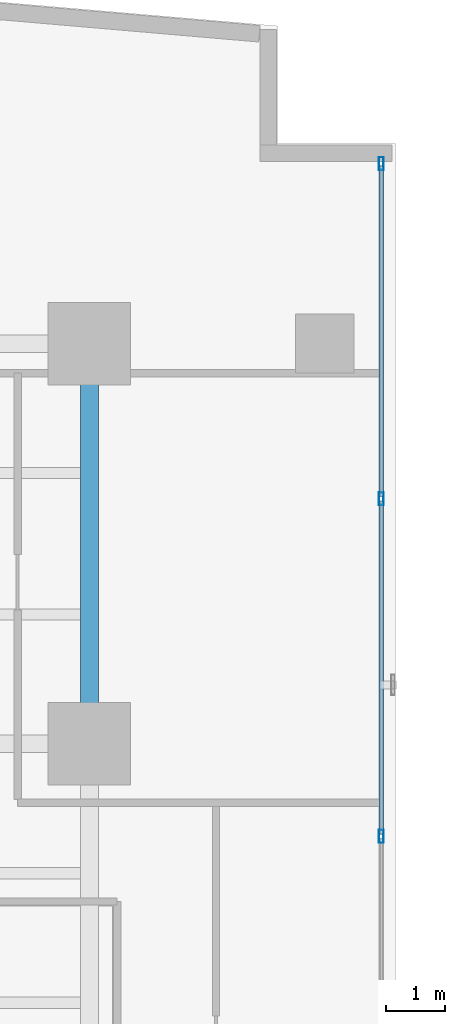
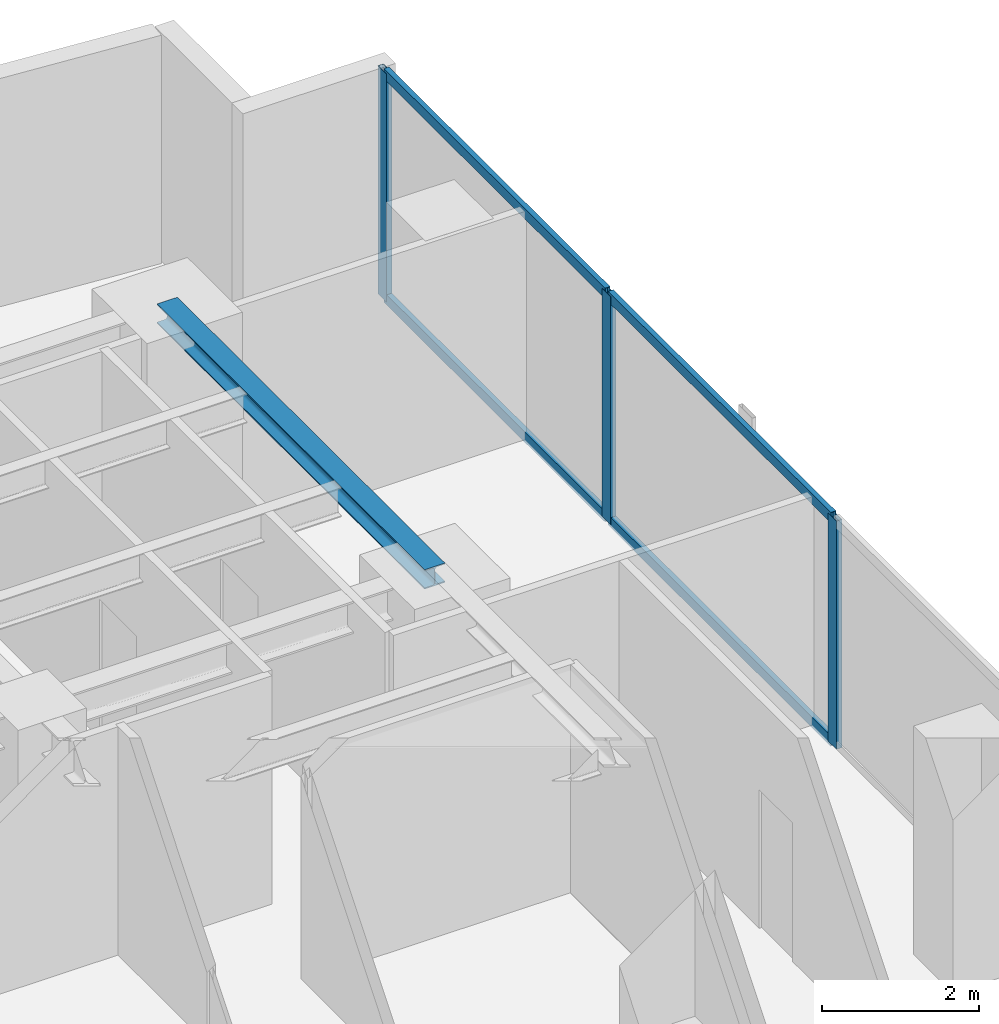
# One storey, part 17 of 26: 7 members, 1 beam, 1 element without a shape of its own.
"""IFC4 building model written with IfcOpenShell, lengths in metres."""

from ifc_helpers import new_model, si_unit, direction, frame, origin, origin_with_axes, origin_2d, place, context, subcontext, project, spatial, hollow_rectangle, i_section, extrude, source, transform, mapped, material, layer, layer_set, material_profile, profile_set, type_object, element, aggregate, save


model = new_model("IFC4")

# Units and contexts
model_context = context("Model", 3, precision=1e-05, world=origin(), true_north=direction((0.0, 1.0)))
body_context = subcontext(model_context, "Body", "Model", "MODEL_VIEW")
ifc_project = project(units=[si_unit("LENGTHUNIT", "METRE"), si_unit("AREAUNIT", "SQUARE_METRE"), si_unit("VOLUMEUNIT", "CUBIC_METRE"), si_unit("PLANEANGLEUNIT", "RADIAN"), si_unit("MASSUNIT", "GRAM", prefix="KILO")], contexts=[model_context])

# Site, building, storey
site_placement = place(None, origin())
site = spatial("IfcSite", under=ifc_project, at=site_placement, CompositionType="ELEMENT")
building_placement = place(site_placement, origin())
building = spatial("IfcBuilding", under=site, at=building_placement, Name="Kolvaren Waterfront Exchange", CompositionType="ELEMENT")
storey_placement = place(building_placement, frame((0.0, 0.0, 122.10009765625)))
storey = spatial("IfcBuildingStorey", under=building, at=storey_placement, Name="L31", CompositionType="ELEMENT", Elevation=122.10009765625)

# Beam
ifc_material_1 = material(Name="Steel S355", Category="steel")
ifc_material_profile_1 = material_profile(ifc_material_1, i_section(OverallWidth=0.300048828125, OverallDepth=0.300048828125, WebThickness=0.010986328125, FlangeThickness=0.01904296875, FilletRadius=0.027099609375, at=origin_2d()), Name="HEB300")
ifc_profile_set_1 = profile_set([ifc_material_profile_1], Name="Steel S355")
beam_type = type_object("IfcBeamType", Name="STR-BM-HEB300", PredefinedType="SPANDREL", material=ifc_profile_set_1)
beam_placement = place(storey_placement, frame((18.800048828125, 37.800048828125, 3.389892578125), z_axis=(0.0, 1.0, 0.0), x_axis=(-1.0, 0.0, 0.0)))
element("IfcBeam", 1, at=beam_placement, inside=storey, type_object=beam_type, Name="L31 north-arm edge beam 3", PredefinedType="SPANDREL", context=body_context, shape_type="SweptSolid", body=[
    extrude(i_section(OverallWidth=0.300048828125, OverallDepth=0.300048828125, WebThickness=0.010986328125, FlangeThickness=0.01904296875, FilletRadius=0.027099609375, at=origin_2d()), origin(), (0.0, 0.0, 1.0), 6.800048828125),
])

# Curtain wall, members
ifc_material_2 = material(Name="Anodised bronze aluminium 6063-T6", Category="aluminium")
ifc_layer = layer(ifc_material_2, 0.219970703125, Name="Anodised bronze aluminium 6063-T6")
ifc_layer_set = layer_set([ifc_layer], Name="Anodised bronze aluminium 6063-T6")
curtain_wall_type = type_object("IfcCurtainWallType", Name="ARC-CW-SYS1", PredefinedType="USERDEFINED", material=ifc_layer_set)
curtain_wall_placement = place(storey_placement, origin())
curtain_wall = element("IfcCurtainWall", 2, at=curtain_wall_placement, inside=storey, type_object=curtain_wall_type, Name="L31 stick curtain wall CW1 (CW-L31-NE)", ObjectType="STICK CURTAIN WALL", PredefinedType="USERDEFINED")
ifc_material_3 = material(Name="Anodised aluminium 6063-T6", Category="aluminium")
ifc_material_profile_2 = material_profile(ifc_material_3, hollow_rectangle(XDim=0.080078125, YDim=0.219970703125, WallThickness=0.0048828125, at=origin_2d()), Name="ALU-MUL-220x80x5")
ifc_profile_set_2 = profile_set([ifc_material_profile_2], Name="Anodised aluminium 6063-T6")
member_type_1 = type_object("IfcMemberType", Name="ARC-CWM-220", PredefinedType="MULLION", material=ifc_profile_set_2)
shared_shape_1 = source(origin_with_axes(), body_context, "Body", "SweptSolid", [
    extrude(hollow_rectangle(XDim=0.080078125, YDim=0.219970703125, WallThickness=0.0048828125, at=origin_2d()), origin(), (0.0, 0.0, 1.0), 3.539794921875),
])
member_1_placement = place(storey_placement, frame((23.760009765625, 36.2265625, 0.0), z_axis=(0.0, 0.0, 1.0), x_axis=(-1.0, 0.0, 0.0)))
member_1 = element("IfcMember", 3, at=member_1_placement, type_object=member_type_1, Name="CW1 mullion 2", PredefinedType="MULLION", context=body_context, shape_type="MappedRepresentation", body=[
    mapped(shared_shape_1, transform((0.0, 0.0, 0.0), x_axis=(1.0, 0.0, 0.0), y_axis=(0.0, 1.0, 0.0), z_axis=(0.0, 0.0, 1.0), scale=1.0)),
])
member_2_placement = place(storey_placement, frame((23.760009765625, 41.96337890625, 0.0), z_axis=(0.0, 0.0, 1.0), x_axis=(-1.0, 0.0, 0.0)))
member_2 = element("IfcMember", 4, at=member_2_placement, type_object=member_type_1, Name="CW1 mullion 3", PredefinedType="MULLION", context=body_context, shape_type="MappedRepresentation", body=[
    mapped(shared_shape_1, transform((0.0, 0.0, 0.0), x_axis=(1.0, 0.0, 0.0), y_axis=(0.0, 1.0, 0.0), z_axis=(0.0, 0.0, 1.0), scale=1.0)),
])
member_3_placement = place(storey_placement, frame((23.760009765625, 47.659912109375, 0.0), z_axis=(0.0, 0.0, 1.0), x_axis=(-1.0, 0.0, 0.0)))
member_3 = element("IfcMember", 5, at=member_3_placement, type_object=member_type_1, Name="CW1 mullion 4", PredefinedType="MULLION", context=body_context, shape_type="MappedRepresentation", body=[
    mapped(shared_shape_1, transform((0.0, 0.0, 0.0), x_axis=(1.0, 0.0, 0.0), y_axis=(0.0, 1.0, 0.0), z_axis=(0.0, 0.0, 1.0), scale=1.0)),
])
ifc_material_profile_3 = material_profile(ifc_material_3, hollow_rectangle(XDim=0.074951171875, YDim=0.159912109375, WallThickness=0.00439453125, at=origin_2d()), Name="ALU-TRN-160x75x4.5")
ifc_profile_set_3 = profile_set([ifc_material_profile_3], Name="Anodised aluminium 6063-T6")
member_type_2 = type_object("IfcMemberType", Name="ARC-CWT-160", PredefinedType="USERDEFINED", material=ifc_profile_set_3)
shared_shape_2 = source(origin_with_axes(), body_context, "Body", "SweptSolid", [
    extrude(hollow_rectangle(XDim=0.074951171875, YDim=0.159912109375, WallThickness=0.00439453125, at=origin_2d()), origin(), (0.0, 0.0, 1.0), 5.61669921875),
])
member_4_placement = place(storey_placement, frame((23.760009765625, 42.00341796875, 0.037353515625), z_axis=(0.0, 1.0, 0.0), x_axis=(-1.0, 0.0, 0.0)))
member_4 = element("IfcMember", 6, at=member_4_placement, type_object=member_type_2, Name="CW1 transom 3.1", ObjectType="TRANSOM", PredefinedType="USERDEFINED", context=body_context, shape_type="MappedRepresentation", body=[
    mapped(shared_shape_2, transform((0.0, 0.0, 0.0), x_axis=(1.0, 0.0, 0.0), y_axis=(0.0, 1.0, 0.0), z_axis=(0.0, 0.0, 1.0), scale=1.0)),
])
member_5_placement = place(storey_placement, frame((23.760009765625, 42.00341796875, 3.50244140625), z_axis=(0.0, 1.0, 0.0), x_axis=(-1.0, 0.0, 0.0)))
member_5 = element("IfcMember", 7, at=member_5_placement, type_object=member_type_2, Name="CW1 transom 3.2", ObjectType="TRANSOM", PredefinedType="USERDEFINED", context=body_context, shape_type="MappedRepresentation", body=[
    mapped(shared_shape_2, transform((0.0, 0.0, 0.0), x_axis=(1.0, 0.0, 0.0), y_axis=(0.0, 1.0, 0.0), z_axis=(0.0, 0.0, 1.0), scale=1.0)),
])
shared_shape_3 = source(origin_with_axes(), body_context, "Body", "SweptSolid", [
    extrude(hollow_rectangle(XDim=0.074951171875, YDim=0.159912109375, WallThickness=0.00439453125, at=origin_2d()), origin(), (0.0, 0.0, 1.0), 5.65673828125),
])
member_6_placement = place(storey_placement, frame((23.760009765625, 36.2666015625, 0.037353515625), z_axis=(0.0, 1.0, 0.0), x_axis=(-1.0, 0.0, 0.0)))
member_6 = element("IfcMember", 8, at=member_6_placement, type_object=member_type_2, Name="CW1 transom 2.1", ObjectType="TRANSOM", PredefinedType="USERDEFINED", context=body_context, shape_type="MappedRepresentation", body=[
    mapped(shared_shape_3, transform((0.0, 0.0, 0.0), x_axis=(1.0, 0.0, 0.0), y_axis=(0.0, 1.0, 0.0), z_axis=(0.0, 0.0, 1.0), scale=1.0)),
])
member_7_placement = place(storey_placement, frame((23.760009765625, 36.2666015625, 3.50244140625), z_axis=(0.0, 1.0, 0.0), x_axis=(-1.0, 0.0, 0.0)))
member_7 = element("IfcMember", 9, at=member_7_placement, type_object=member_type_2, Name="CW1 transom 2.2", ObjectType="TRANSOM", PredefinedType="USERDEFINED", context=body_context, shape_type="MappedRepresentation", body=[
    mapped(shared_shape_3, transform((0.0, 0.0, 0.0), x_axis=(1.0, 0.0, 0.0), y_axis=(0.0, 1.0, 0.0), z_axis=(0.0, 0.0, 1.0), scale=1.0)),
])
aggregate(curtain_wall, [member_1, member_2, member_3, member_6, member_7, member_4, member_5])

save(model, "model.ifc")
